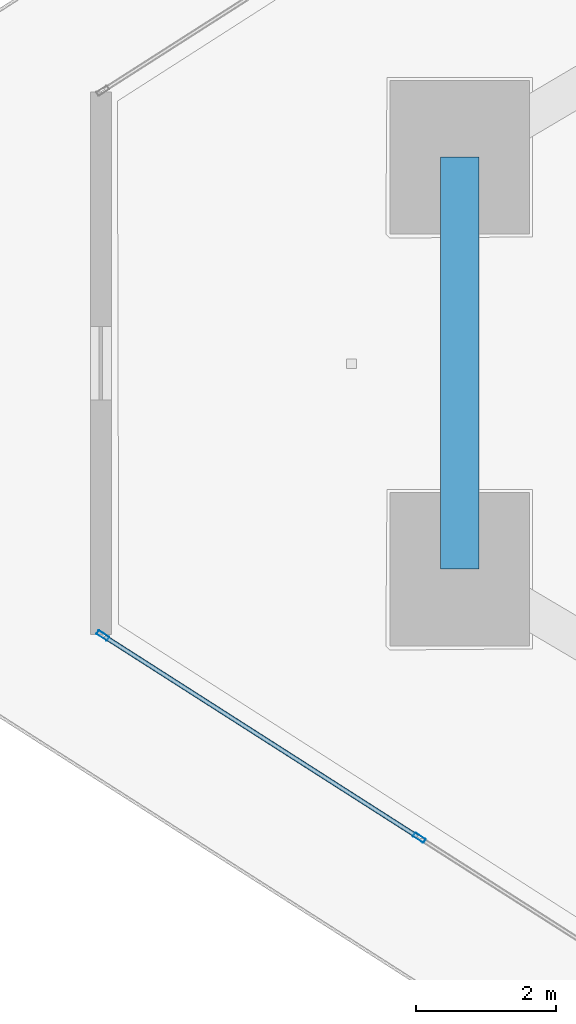
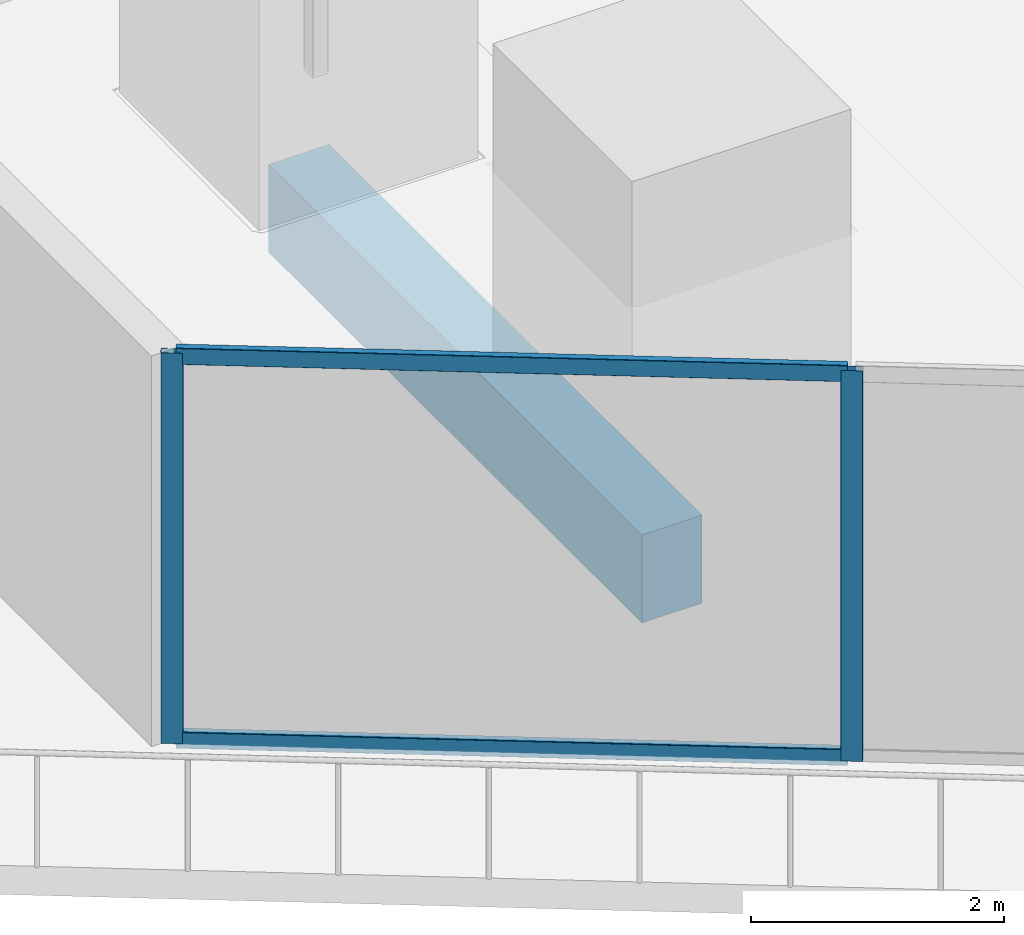
# One storey, part 4 of 45: 4 members, 1 beam, 1 element without a shape of its own.
"""IFC4 building model written with IfcOpenShell, lengths in metres."""

from ifc_helpers import new_model, si_unit, direction, frame, origin, origin_2d, place, context, subcontext, project, spatial, rectangle, hollow_rectangle, extrude, material, layer, layer_set, material_profile, profile_set, type_object, element, aggregate, save


model = new_model("IFC4")

# Units and contexts
model_context = context("Model", 3, precision=1e-05, world=origin(), true_north=direction((0.0, 1.0)))
body_context = subcontext(model_context, "Body", "Model", "MODEL_VIEW")
ifc_project = project(units=[si_unit("LENGTHUNIT", "METRE"), si_unit("AREAUNIT", "SQUARE_METRE"), si_unit("VOLUMEUNIT", "CUBIC_METRE"), si_unit("PLANEANGLEUNIT", "RADIAN"), si_unit("MASSUNIT", "GRAM", prefix="KILO")], contexts=[model_context])

# Site, building, storey
site_placement = place(None, origin())
site = spatial("IfcSite", under=ifc_project, at=site_placement, CompositionType="ELEMENT")
building_placement = place(site_placement, origin())
building = spatial("IfcBuilding", under=site, at=building_placement, Name="Qorvath Tower", CompositionType="ELEMENT")
storey_placement = place(building_placement, frame((0.0, 0.0, 109.800048828125)))
storey = spatial("IfcBuildingStorey", under=building, at=storey_placement, Name="L24", CompositionType="ELEMENT", Elevation=109.800048828125)

# Beam
ifc_material_1 = material(Name="Concrete C50/60", Category="concrete")
ifc_material_profile_1 = material_profile(ifc_material_1, rectangle(XDim=0.550048828125, YDim=0.85009765625, at=origin_2d()), Name="RCB 850x550")
ifc_profile_set_1 = profile_set([ifc_material_profile_1], Name="Concrete C50/60")
beam_type = type_object("IfcBeamType", Name="BM-RCB2", PredefinedType="SPANDREL", material=ifc_profile_set_1)
beam_placement = place(storey_placement, frame((-53.04931640625, 2.95068359375, -0.705078125), z_axis=(0.0, -1.0, 0.0), x_axis=(1.0, 0.0, 0.0)))
element("IfcBeam", 1, at=beam_placement, inside=storey, type_object=beam_type, Name="Perimeter Loggia Frame Beam MC1-MC2 L24", PredefinedType="SPANDREL", context=body_context, shape_type="SweptSolid", body=[
    extrude(rectangle(XDim=0.550048828125, YDim=0.85009765625, at=origin_2d()), origin(), (0.0, 0.0, 1.0), 5.9013671875),
])

# Curtain wall, members
ifc_material_2 = material(Name="Anodised aluminium and triple low-E glass", Category="aluminium")
ifc_layer = layer(ifc_material_2, 0.179931640625)
ifc_layer_set = layer_set([ifc_layer], Name="CW-SYS-2")
curtain_wall_type = type_object("IfcCurtainWallType", Name="CW-SYS-2", PredefinedType="NOTDEFINED", material=ifc_layer_set)
curtain_wall_placement = place(storey_placement, origin())
curtain_wall = element("IfcCurtainWall", 2, at=curtain_wall_placement, inside=storey, type_object=curtain_wall_type, Name="Curtain Wall CW-2 CW-T-L24-2.1", PredefinedType="NOTDEFINED")
ifc_material_3 = material(Name="Anodised aluminium 6063-T6", Category="aluminium")
ifc_material_profile_2 = material_profile(ifc_material_3, hollow_rectangle(XDim=0.06494140625, YDim=0.179931640625, WallThickness=0.00341796875, InnerFilletRadius=0.00341796875, OuterFilletRadius=0.007080078125, at=origin_2d()), Name="CWM 180x65")
ifc_profile_set_2 = profile_set([ifc_material_profile_2], Name="Anodised aluminium 6063-T6")
member_type_1 = type_object("IfcMemberType", Name="CWM-180", PredefinedType="MULLION", material=ifc_profile_set_2)
member_1_placement = place(storey_placement, frame((-58.1630859375, -3.902587890625, 0.0), z_axis=(0.0, 0.0, 1.0), x_axis=(0.538529946269, 0.84260637131, 0.0)))
member_1 = element("IfcMember", 3, at=member_1_placement, type_object=member_type_1, Name="CW-2 mullion 1", PredefinedType="MULLION", context=body_context, shape_type="SweptSolid", body=[
    extrude(hollow_rectangle(XDim=0.06494140625, YDim=0.179931640625, WallThickness=0.00341796875, InnerFilletRadius=0.00341796875, OuterFilletRadius=0.007080078125, at=origin_2d()), origin(), (0.0, 0.0, 1.0), 3.77001953125),
])
member_2_placement = place(storey_placement, frame((-53.629638671875, -6.7998046875, 0.0), z_axis=(0.0, 0.0, 1.0), x_axis=(0.538529946269, 0.84260637131, 0.0)))
member_2 = element("IfcMember", 4, at=member_2_placement, type_object=member_type_1, Name="CW-2 mullion 2", PredefinedType="MULLION", context=body_context, shape_type="SweptSolid", body=[
    extrude(hollow_rectangle(XDim=0.06494140625, YDim=0.179931640625, WallThickness=0.00341796875, InnerFilletRadius=0.00341796875, OuterFilletRadius=0.007080078125, at=origin_2d()), origin(), (0.0, 0.0, 1.0), 3.77001953125),
])
ifc_material_4 = material(Name="Anodised aluminium 6063-T6", Category="aluminium")
ifc_material_profile_3 = material_profile(ifc_material_4, hollow_rectangle(XDim=0.06494140625, YDim=0.159912109375, WallThickness=0.00341796875, InnerFilletRadius=0.00341796875, OuterFilletRadius=0.007080078125, at=origin_2d()), Name="CWT 160x65")
ifc_profile_set_3 = profile_set([ifc_material_profile_3], Name="Anodised aluminium 6063-T6")
member_type_2 = type_object("IfcMemberType", Name="CWT-160", PredefinedType="USERDEFINED", material=ifc_profile_set_3)
member_3_placement = place(storey_placement, frame((-58.1357421875, -3.919921875, 0.032470703125), z_axis=(0.842608257158, -0.53852699558, 0.0), x_axis=(0.53852699558, 0.842608257158, 0.0)))
member_3 = element("IfcMember", 5, at=member_3_placement, type_object=member_type_2, Name="CW-2 transom 1.1", ObjectType="TRANSOM", PredefinedType="USERDEFINED", context=body_context, shape_type="SweptSolid", body=[
    extrude(hollow_rectangle(XDim=0.06494140625, YDim=0.159912109375, WallThickness=0.00341796875, InnerFilletRadius=0.00341796875, OuterFilletRadius=0.007080078125, at=origin_2d()), origin(), (0.0, 0.0, 1.0), 5.31494140625),
])
member_4_placement = place(storey_placement, frame((-58.1357421875, -3.919921875, 3.737548828125), z_axis=(0.842608257158, -0.53852699558, 0.0), x_axis=(0.53852699558, 0.842608257158, 0.0)))
member_4 = element("IfcMember", 6, at=member_4_placement, type_object=member_type_2, Name="CW-2 transom 1.2", ObjectType="TRANSOM", PredefinedType="USERDEFINED", context=body_context, shape_type="SweptSolid", body=[
    extrude(hollow_rectangle(XDim=0.06494140625, YDim=0.159912109375, WallThickness=0.00341796875, InnerFilletRadius=0.00341796875, OuterFilletRadius=0.007080078125, at=origin_2d()), origin(), (0.0, 0.0, 1.0), 5.31494140625),
])
aggregate(curtain_wall, [member_1, member_2, member_3, member_4])

save(model, "model.ifc")
